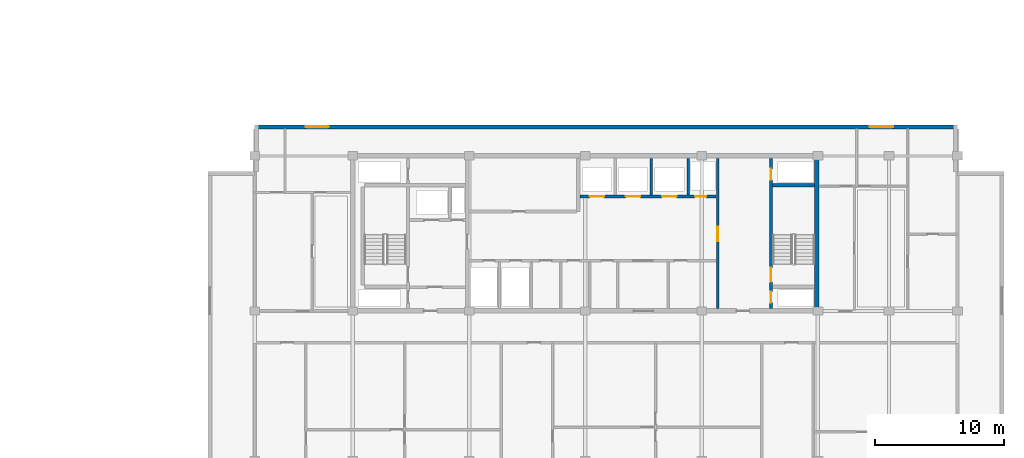
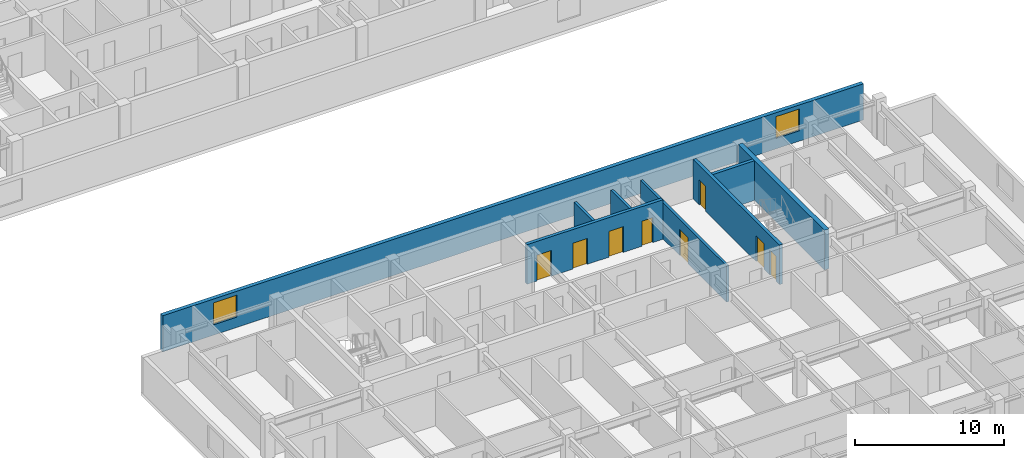
# One storey, part 8 of 24: 8 doors, 8 walls, 2 windows, 10 openings.
"""IFC4 building model written with IfcOpenShell, lengths in metres."""

from ifc_helpers import new_model, si_unit, direction, frame, frame_2d, origin, place, context, subcontext, project, spatial, rectangle, extrude, material, layer, layer_set, type_object, element, fill, save


model = new_model("IFC4")

# Units and contexts
model_context = context("Model", 3, precision=1e-05, world=origin(), true_north=direction((0.0, 1.0)))
body_context = subcontext(model_context, "Body", "Model", "MODEL_VIEW")
ifc_project = project(units=[si_unit("LENGTHUNIT", "METRE"), si_unit("AREAUNIT", "SQUARE_METRE"), si_unit("VOLUMEUNIT", "CUBIC_METRE"), si_unit("PLANEANGLEUNIT", "RADIAN"), si_unit("MASSUNIT", "GRAM", prefix="KILO")], contexts=[model_context])

# Site, building, storey
site_placement = place(None, origin())
site = spatial("IfcSite", under=ifc_project, at=site_placement, CompositionType="ELEMENT")
building_placement = place(site_placement, origin())
building = spatial("IfcBuilding", under=site, at=building_placement, Name="Korimba Cascade Residences", CompositionType="ELEMENT")
storey_placement = place(building_placement, frame((0.0, 0.0, 168.60009765625)))
storey = spatial("IfcBuildingStorey", under=building, at=storey_placement, Name="L48", CompositionType="ELEMENT", Elevation=168.60009765625)

# Wall, openings, windows
ifc_material_1 = material(Name="Precast concrete C40/50", Category="concrete")
ifc_layer_1 = layer(ifc_material_1, 0.300048828125)
ifc_layer_set_1 = layer_set([ifc_layer_1], Name="Precast concrete C40/50")
wall_type_1 = type_object("IfcWallType", Name="EW-STONE-300", PredefinedType="STANDARD", material=ifc_layer_set_1)
wall_1_placement = place(storey_placement, frame((128.89990234375, 32.64990234375, 0.0), z_axis=(0.0, 0.0, 1.0), x_axis=(-1.0, 0.0, 0.0)))
wall_1 = element("IfcWall", 1, at=wall_1_placement, inside=storey, type_object=wall_type_1, Name="L48 T2 Perimeter Stone Wall E06", PredefinedType="STANDARD", context=body_context, shape_type="SweptSolid", body=[
    extrude(rectangle(XDim=54.39990234375, YDim=0.300048828125, at=frame_2d((27.199951171875, 0.0))), origin(), (0.0, 0.0, 1.0), 2.969970703125),
])
opening_1_placement = place(wall_1_placement, frame((48.64990234375, 0.0, 0.85009765625)))
opening_1 = element("IfcOpeningElement", 2, at=opening_1_placement, cuts=wall_1, Name="Opening W-02", PredefinedType="OPENING", context=body_context, shape_type="SweptSolid", body=[
    extrude(rectangle(XDim=1.800048828125, YDim=1.800048828125, at=frame_2d((0.89990234375, 0.89990234375))), frame((0.0, 0.16015625, 0.0), z_axis=(0.0, -1.0, 0.0), x_axis=(1.0, 0.0, 0.0)), (0.0, 0.0, 1.0), 0.320068359375),
])
opening_2_placement = place(wall_1_placement, frame((4.97509765625, 0.0, 0.85009765625)))
opening_2 = element("IfcOpeningElement", 3, at=opening_2_placement, cuts=wall_1, Name="Opening W-02", PredefinedType="OPENING", context=body_context, shape_type="SweptSolid", body=[
    extrude(rectangle(XDim=1.800048828125, YDim=1.800048828125, at=frame_2d((0.89990234375, 0.89990234375))), frame((0.0, 0.16015625, 0.0), z_axis=(0.0, -1.0, 0.0), x_axis=(1.0, 0.0, 0.0)), (0.0, 0.0, 1.0), 0.320068359375),
])
ifc_material_2 = material(Name="Double-Glazed Aluminium Window", Category="aluminium")
window_type = type_object("IfcWindowType", Name="WIN-BED-1800", PartitioningType="SINGLE_PANEL", PredefinedType="WINDOW", material=ifc_material_2)
window_1_placement = place(opening_1_placement, origin())
window_1 = element("IfcWindow", 4, at=window_1_placement, inside=storey, type_object=window_type, Name="L48 T2 North Corner Bedroom Window 1", OverallHeight=1.800048828125, OverallWidth=1.800048828125, PartitioningType="SINGLE_PANEL", PredefinedType="WINDOW", context=body_context, shape_type="SweptSolid", body=[
    extrude(rectangle(XDim=1.800048828125, YDim=1.800048828125, at=frame_2d((0.89990234375, 0.89990234375))), frame((0.0, 0.030029296875, 0.0), z_axis=(0.0, -1.0, 0.0), x_axis=(1.0, 0.0, 0.0)), (0.0, 0.0, 1.0), 0.06005859375),
])
fill(opening_1, window_1)
window_2_placement = place(opening_2_placement, origin())
window_2 = element("IfcWindow", 5, at=window_2_placement, inside=storey, type_object=window_type, Name="L48 T2 North Corner Bedroom Window 2", OverallHeight=1.800048828125, OverallWidth=1.800048828125, PartitioningType="SINGLE_PANEL", PredefinedType="WINDOW", context=body_context, shape_type="SweptSolid", body=[
    extrude(rectangle(XDim=1.800048828125, YDim=1.800048828125, at=frame_2d((0.89990234375, 0.89990234375))), frame((0.0, 0.030029296875, 0.0), z_axis=(0.0, -1.0, 0.0), x_axis=(1.0, 0.0, 0.0)), (0.0, 0.0, 1.0), 0.06005859375),
])
fill(opening_2, window_2)

# Walls
ifc_material_3 = material(Name="Concrete C65/80", Category="concrete")
ifc_layer_2 = layer(ifc_material_3, 0.35009765625)
ifc_layer_set_2 = layer_set([ifc_layer_2], Name="Concrete C65/80")
wall_type_2 = type_object("IfcWallType", Name="WAL-CORE-350", PredefinedType="SHEAR", material=ifc_layer_set_2)
wall_2_placement = place(storey_placement, frame((118.014892578125, 18.574951171875, 0.0), z_axis=(0.0, 0.0, 1.0), x_axis=(0.0, 1.0, 0.0)))
element("IfcWall", 6, at=wall_2_placement, inside=storey, type_object=wall_type_2, Name="L48 Core Shear Wall CW-L48-T2-E", PredefinedType="SHEAR", context=body_context, shape_type="SweptSolid", body=[
    extrude(rectangle(XDim=11.650146484375, YDim=0.35009765625, at=frame_2d((5.8251953125, 0.0))), origin(), (0.0, 0.0, 1.0), 3.25),
])
ifc_material_4 = material(Name="Concrete C40/50", Category="concrete")
ifc_layer_3 = layer(ifc_material_4, 0.199951171875)
ifc_layer_set_3 = layer_set([ifc_layer_3], Name="Concrete C40/50")
wall_type_3 = type_object("IfcWallType", Name="WAL-PART-200", PredefinedType="PARTITIONING", material=ifc_layer_set_3)
for number, where, z_axis, x_axis, name in (
    (7, (105.199951171875, 27.3798828125, 0.0), (0.0, 0.0, 1.0), (0.0, 1.0, 0.0), "L48 Partition Wall CW-L48-T2-B2D2"),
    (8, (108.050048828125, 27.3798828125, 0.0), (0.0, 0.0, 1.0), (0.0, 1.0, 0.0), "L48 Partition Wall CW-L48-T2-B2D3"),
):
    element("IfcWall", number, at=place(storey_placement, frame(where, z_axis=z_axis, x_axis=x_axis)), inside=storey, type_object=wall_type_3, Name=name, PredefinedType="PARTITIONING", context=body_context, shape_type="SweptSolid", body=[
        extrude(rectangle(XDim=2.820068359375, YDim=0.199951171875, at=frame_2d((1.41015625, 0.0))), origin(), (0.0, 0.0, 1.0), 2.969970703125),
    ])

# Wall, opening, door
wall_3_placement = place(storey_placement, frame((110.35009765625, 18.60009765625, 0.0), z_axis=(0.0, 0.0, 1.0), x_axis=(0.0, 1.0, 0.0)))
wall_3 = element("IfcWall", 9, at=wall_3_placement, inside=storey, type_object=wall_type_3, Name="L48 Partition Wall CW-L48-T2-LLEV", PredefinedType="PARTITIONING", context=body_context, shape_type="SweptSolid", body=[
    extrude(rectangle(XDim=11.599853515625, YDim=0.199951171875, at=frame_2d((5.7998046875, 0.0))), origin(), (0.0, 0.0, 1.0), 2.969970703125),
])
opening_3_placement = place(wall_3_placement, frame((5.199951171875, 0.0, 0.0)))
opening_3 = element("IfcOpeningElement", 10, at=opening_3_placement, cuts=wall_3, Name="Opening D-FD6", PredefinedType="OPENING", context=body_context, shape_type="SweptSolid", body=[
    extrude(rectangle(XDim=1.10009765625, YDim=2.14990234375, at=frame_2d((0.550048828125, 1.074951171875))), frame((0.0, 0.10986328125, 0.0), z_axis=(0.0, -1.0, 0.0), x_axis=(1.0, 0.0, 0.0)), (0.0, 0.0, 1.0), 0.219970703125),
])
ifc_material_5 = material(Name="Fire-Rated Timber Stair Lobby Door", Category="wood")
door_type_1 = type_object("IfcDoorType", Name="DR-FD90-1100", OperationType="NOTDEFINED", PredefinedType="DOOR", material=ifc_material_5)
door_1_placement = place(opening_3_placement, origin())
door_1 = element("IfcDoor", 11, at=door_1_placement, inside=storey, type_object=door_type_1, Name="L48 T2 Lift Lobby to East Stair Lobby Door", OperationType="SINGLE_SWING_RIGHT", OverallHeight=2.14990234375, OverallWidth=1.10009765625, PredefinedType="DOOR", context=body_context, shape_type="SweptSolid", body=[
    extrude(rectangle(XDim=1.10009765625, YDim=2.14990234375, at=frame_2d((0.550048828125, 1.074951171875))), frame((0.0, 0.02490234375, 0.0), z_axis=(0.0, -1.0, 0.0), x_axis=(1.0, 0.0, 0.0)), (0.0, 0.0, 1.0), 0.050048828125),
])
fill(opening_3, door_1)

# Wall, openings, doors
ifc_material_6 = material(Name="Concrete C50/60", Category="concrete")
ifc_layer_4 = layer(ifc_material_6, 0.25)
ifc_layer_set_4 = layer_set([ifc_layer_4], Name="Concrete C50/60")
wall_type_4 = type_object("IfcWallType", Name="WAL-SHAFT-250", PredefinedType="SHEAR", material=ifc_layer_set_4)
wall_4_placement = place(storey_placement, frame((99.679931640625, 27.25, 0.0), z_axis=(0.0, 0.0, 1.0), x_axis=(1.0, 0.0, 0.0)))
wall_4 = element("IfcWall", 12, at=wall_4_placement, inside=storey, type_object=wall_type_4, Name="L48 Core Shear Wall CW-L48-T2-B2S", PredefinedType="SHEAR", context=body_context, shape_type="SweptSolid", body=[
    extrude(rectangle(XDim=10.5400390625, YDim=0.25, at=frame_2d((5.27001953125, 0.0))), origin(), (0.0, 0.0, 1.0), 3.25),
])
opening_4_placement = place(wall_4_placement, frame((0.760009765625, 0.0, 0.0)))
opening_4 = element("IfcOpeningElement", 13, at=opening_4_placement, cuts=wall_4, Name="Opening LD-01", PredefinedType="OPENING", context=body_context, shape_type="SweptSolid", body=[
    extrude(rectangle(XDim=1.1201171875, YDim=2.1201171875, at=frame_2d((0.56005859375, 1.06005859375))), frame((0.0, 0.135009765625, 0.0), z_axis=(0.0, -1.0, 0.0), x_axis=(1.0, 0.0, 0.0)), (0.0, 0.0, 1.0), 0.27001953125),
])
opening_5_placement = place(wall_4_placement, frame((3.56005859375, 0.0, 0.0)))
opening_5 = element("IfcOpeningElement", 14, at=opening_5_placement, cuts=wall_4, Name="Opening LD-01", PredefinedType="OPENING", context=body_context, shape_type="SweptSolid", body=[
    extrude(rectangle(XDim=1.1201171875, YDim=2.1201171875, at=frame_2d((0.56005859375, 1.06005859375))), frame((0.0, 0.135009765625, 0.0), z_axis=(0.0, -1.0, 0.0), x_axis=(1.0, 0.0, 0.0)), (0.0, 0.0, 1.0), 0.27001953125),
])
opening_6_placement = place(wall_4_placement, frame((6.360107421875, 0.0, 0.0)))
opening_6 = element("IfcOpeningElement", 15, at=opening_6_placement, cuts=wall_4, Name="Opening LD-01", PredefinedType="OPENING", context=body_context, shape_type="SweptSolid", body=[
    extrude(rectangle(XDim=1.1201171875, YDim=2.1201171875, at=frame_2d((0.56005859375, 1.06005859375))), frame((0.0, 0.135009765625, 0.0), z_axis=(0.0, -1.0, 0.0), x_axis=(1.0, 0.0, 0.0)), (0.0, 0.0, 1.0), 0.27001953125),
])
opening_7_placement = place(wall_4_placement, frame((8.919921875, 0.0, 0.0)))
opening_7 = element("IfcOpeningElement", 16, at=opening_7_placement, cuts=wall_4, Name="Opening D-RS1", PredefinedType="OPENING", context=body_context, shape_type="SweptSolid", body=[
    extrude(rectangle(XDim=0.85009765625, YDim=2.050048828125, at=frame_2d((0.425048828125, 1.02490234375))), frame((0.0, 0.135009765625, 0.0), z_axis=(0.0, -1.0, 0.0), x_axis=(1.0, 0.0, 0.0)), (0.0, 0.0, 1.0), 0.27001953125),
])
ifc_material_7 = material(Name="Fire-Rated Steel Riser Access Door", Category="steel")
door_type_2 = type_object("IfcDoorType", Name="DR-FD60-850", OperationType="NOTDEFINED", PredefinedType="DOOR", material=ifc_material_7)
door_2_placement = place(opening_7_placement, origin())
door_2 = element("IfcDoor", 17, at=door_2_placement, inside=storey, type_object=door_type_2, Name="L48 T2 Duct Door", OperationType="SINGLE_SWING_LEFT", OverallHeight=2.050048828125, OverallWidth=0.85009765625, PredefinedType="DOOR", context=body_context, shape_type="SweptSolid", body=[
    extrude(rectangle(XDim=0.85009765625, YDim=2.050048828125, at=frame_2d((0.425048828125, 1.02490234375))), frame((0.0, 0.02490234375, 0.0), z_axis=(0.0, -1.0, 0.0), x_axis=(1.0, 0.0, 0.0)), (0.0, 0.0, 1.0), 0.050048828125),
])
fill(opening_7, door_2)
ifc_material_8 = material(Name="Stainless Steel Lift Landing Sliding Door", Category="steel")
door_type_3 = type_object("IfcDoorType", Name="DR-LIFT-1100", OperationType="NOTDEFINED", PredefinedType="DOOR", material=ifc_material_8)
door_3_placement = place(opening_4_placement, origin())
door_3 = element("IfcDoor", 18, at=door_3_placement, inside=storey, type_object=door_type_3, Name="L48 Lift Landing Door PL-E4", OperationType="SLIDING_TO_RIGHT", OverallHeight=2.1201171875, OverallWidth=1.1201171875, PredefinedType="DOOR", context=body_context, shape_type="SweptSolid", body=[
    extrude(rectangle(XDim=1.1201171875, YDim=2.1201171875, at=frame_2d((0.56005859375, 1.06005859375))), frame((0.0, 0.02490234375, 0.0), z_axis=(0.0, -1.0, 0.0), x_axis=(1.0, 0.0, 0.0)), (0.0, 0.0, 1.0), 0.050048828125),
])
fill(opening_4, door_3)
door_4_placement = place(opening_5_placement, origin())
door_4 = element("IfcDoor", 19, at=door_4_placement, inside=storey, type_object=door_type_3, Name="L48 Lift Landing Door PL-E5", OperationType="SLIDING_TO_RIGHT", OverallHeight=2.1201171875, OverallWidth=1.1201171875, PredefinedType="DOOR", context=body_context, shape_type="SweptSolid", body=[
    extrude(rectangle(XDim=1.1201171875, YDim=2.1201171875, at=frame_2d((0.56005859375, 1.06005859375))), frame((0.0, 0.02490234375, 0.0), z_axis=(0.0, -1.0, 0.0), x_axis=(1.0, 0.0, 0.0)), (0.0, 0.0, 1.0), 0.050048828125),
])
fill(opening_5, door_4)
door_5_placement = place(opening_6_placement, origin())
door_5 = element("IfcDoor", 20, at=door_5_placement, inside=storey, type_object=door_type_3, Name="L48 Lift Landing Door PL-E6", OperationType="SLIDING_TO_RIGHT", OverallHeight=2.1201171875, OverallWidth=1.1201171875, PredefinedType="DOOR", context=body_context, shape_type="SweptSolid", body=[
    extrude(rectangle(XDim=1.1201171875, YDim=2.1201171875, at=frame_2d((0.56005859375, 1.06005859375))), frame((0.0, 0.02490234375, 0.0), z_axis=(0.0, -1.0, 0.0), x_axis=(1.0, 0.0, 0.0)), (0.0, 0.0, 1.0), 0.050048828125),
])
fill(opening_6, door_5)

wall_5_placement = place(storey_placement, frame((114.47509765625, 18.60009765625, 0.0), z_axis=(0.0, 0.0, 1.0), x_axis=(0.0, 1.0, 0.0)))
wall_5 = element("IfcWall", 21, at=wall_5_placement, inside=storey, type_object=wall_type_4, Name="L48 Core Shear Wall CW-L48-T2-STE2W", PredefinedType="SHEAR", context=body_context, shape_type="SweptSolid", body=[
    extrude(rectangle(XDim=11.599853515625, YDim=0.25, at=frame_2d((5.7998046875, 0.0))), origin(), (0.0, 0.0, 1.0), 3.25),
])
opening_8_placement = place(wall_5_placement, frame((0.449951171875, 0.0, 0.0)))
opening_8 = element("IfcOpeningElement", 22, at=opening_8_placement, cuts=wall_5, Name="Opening D-RS1", PredefinedType="OPENING", context=body_context, shape_type="SweptSolid", body=[
    extrude(rectangle(XDim=0.85009765625, YDim=2.050048828125, at=frame_2d((0.425048828125, 1.02490234375))), frame((0.0, 0.135009765625, 0.0), z_axis=(0.0, -1.0, 0.0), x_axis=(1.0, 0.0, 0.0)), (0.0, 0.0, 1.0), 0.27001953125),
])
opening_9_placement = place(wall_5_placement, frame((2.050048828125, 0.0, 0.0)))
opening_9 = element("IfcOpeningElement", 23, at=opening_9_placement, cuts=wall_5, Name="Opening D-FD1", PredefinedType="OPENING", context=body_context, shape_type="SweptSolid", body=[
    extrude(rectangle(XDim=1.10009765625, YDim=2.10009765625, at=frame_2d((0.550048828125, 1.050048828125))), frame((0.0, 0.135009765625, 0.0), z_axis=(0.0, -1.0, 0.0), x_axis=(1.0, 0.0, 0.0)), (0.0, 0.0, 1.0), 0.27001953125),
])
opening_10_placement = place(wall_5_placement, frame((9.949951171875, 0.0, 0.0)))
opening_10 = element("IfcOpeningElement", 24, at=opening_10_placement, cuts=wall_5, Name="Opening D-RS1", PredefinedType="OPENING", context=body_context, shape_type="SweptSolid", body=[
    extrude(rectangle(XDim=0.85009765625, YDim=2.050048828125, at=frame_2d((0.425048828125, 1.02490234375))), frame((0.0, 0.135009765625, 0.0), z_axis=(0.0, -1.0, 0.0), x_axis=(1.0, 0.0, 0.0)), (0.0, 0.0, 1.0), 0.27001953125),
])
ifc_material_9 = material(Name="Fire-Rated Steel Core Door", Category="steel")
door_type_4 = type_object("IfcDoorType", Name="DR-FD120-1100", OperationType="NOTDEFINED", PredefinedType="DOOR", material=ifc_material_9)
door_6_placement = place(opening_9_placement, origin())
door_6 = element("IfcDoor", 25, at=door_6_placement, inside=storey, type_object=door_type_4, Name="L48 Fire Stair ST-E2 Door", OperationType="SINGLE_SWING_RIGHT", OverallHeight=2.10009765625, OverallWidth=1.10009765625, PredefinedType="DOOR", context=body_context, shape_type="SweptSolid", body=[
    extrude(rectangle(XDim=1.10009765625, YDim=2.10009765625, at=frame_2d((0.550048828125, 1.050048828125))), frame((0.0, 0.02490234375, 0.0), z_axis=(0.0, -1.0, 0.0), x_axis=(1.0, 0.0, 0.0)), (0.0, 0.0, 1.0), 0.050048828125),
])
fill(opening_9, door_6)
door_7_placement = place(opening_8_placement, origin())
door_7 = element("IfcDoor", 26, at=door_7_placement, inside=storey, type_object=door_type_2, Name="L48 T2 East Hydrant Door", OperationType="SINGLE_SWING_LEFT", OverallHeight=2.050048828125, OverallWidth=0.85009765625, PredefinedType="DOOR", context=body_context, shape_type="SweptSolid", body=[
    extrude(rectangle(XDim=0.85009765625, YDim=2.050048828125, at=frame_2d((0.425048828125, 1.02490234375))), frame((0.0, 0.02490234375, 0.0), z_axis=(0.0, -1.0, 0.0), x_axis=(1.0, 0.0, 0.0)), (0.0, 0.0, 1.0), 0.050048828125),
])
fill(opening_8, door_7)
door_8_placement = place(opening_10_placement, origin())
door_8 = element("IfcDoor", 27, at=door_8_placement, inside=storey, type_object=door_type_2, Name="L48 T2 East Riser Door", OperationType="SINGLE_SWING_LEFT", OverallHeight=2.050048828125, OverallWidth=0.85009765625, PredefinedType="DOOR", context=body_context, shape_type="SweptSolid", body=[
    extrude(rectangle(XDim=0.85009765625, YDim=2.050048828125, at=frame_2d((0.425048828125, 1.02490234375))), frame((0.0, 0.02490234375, 0.0), z_axis=(0.0, -1.0, 0.0), x_axis=(1.0, 0.0, 0.0)), (0.0, 0.0, 1.0), 0.050048828125),
])
fill(opening_10, door_8)

# Wall
wall_6_placement = place(storey_placement, frame((114.60009765625, 28.125, 0.0), z_axis=(0.0, 0.0, 1.0), x_axis=(1.0, 0.0, 0.0)))
element("IfcWall", 28, at=wall_6_placement, inside=storey, type_object=wall_type_4, Name="L48 Core Shear Wall CW-L48-T2-STE2N", PredefinedType="SHEAR", context=body_context, shape_type="SweptSolid", body=[
    extrude(rectangle(XDim=3.239990234375, YDim=0.25, at=frame_2d((1.6201171875, 0.0))), origin(), (0.0, 0.0, 1.0), 3.25),
])

save(model, "model.ifc")
